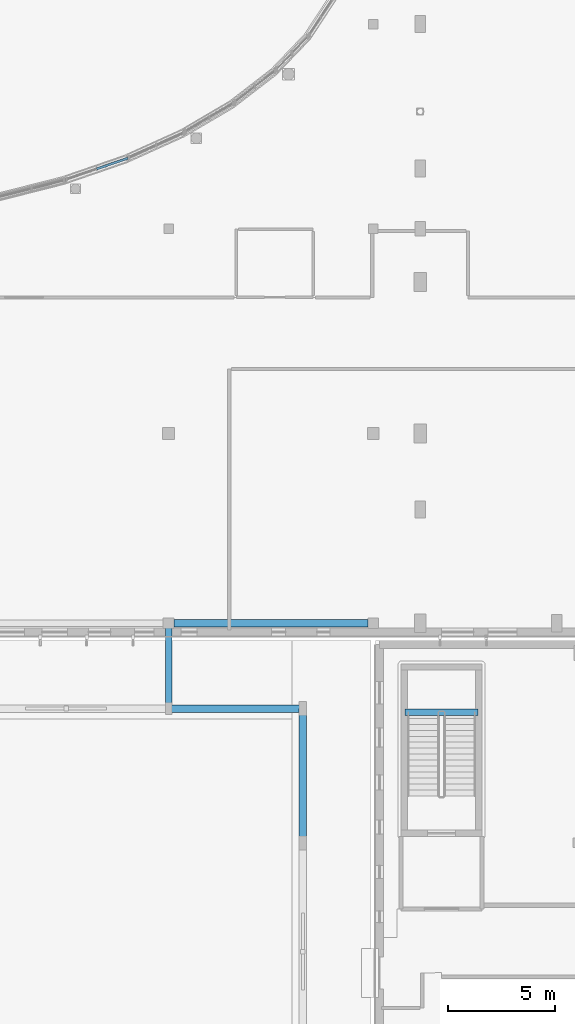
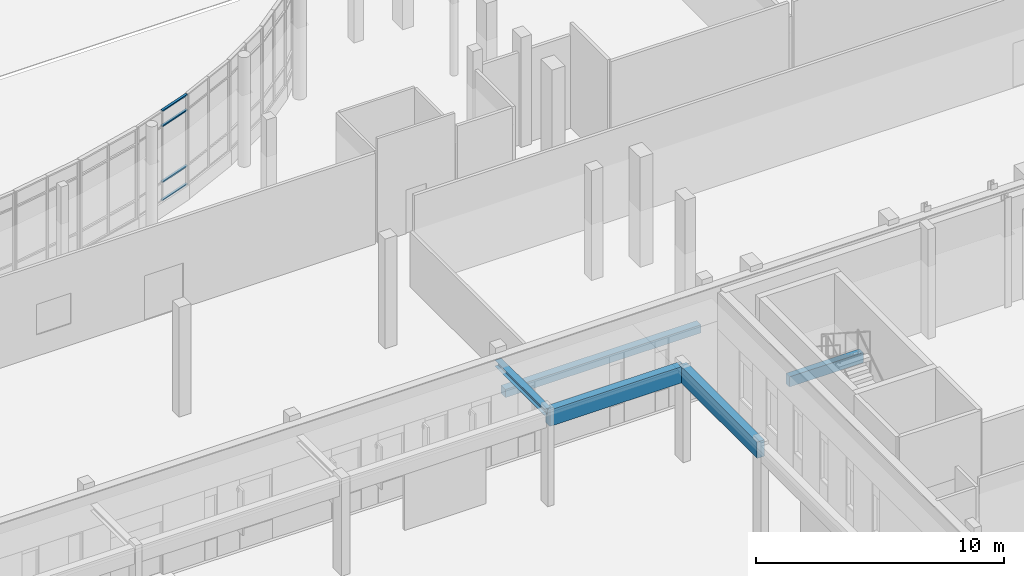
# One storey, part 15 of 84: 5 beams, 4 members, 1 element without a shape of its own.
"""IFC4 building model written with IfcOpenShell, lengths in metres."""

from ifc_helpers import new_model, si_unit, direction, frame, origin, origin_2d, place, context, subcontext, project, spatial, rectangle, i_section, extrude, material, material_profile, profile_set, type_object, element, aggregate, save


model = new_model("IFC4")

# Units and contexts
model_context = context("Model", 3, precision=1e-05, world=origin(), true_north=direction((0.0, 1.0)))
body_context = subcontext(model_context, "Body", "Model", "MODEL_VIEW")
ifc_project = project(units=[si_unit("LENGTHUNIT", "METRE"), si_unit("AREAUNIT", "SQUARE_METRE"), si_unit("VOLUMEUNIT", "CUBIC_METRE"), si_unit("PLANEANGLEUNIT", "RADIAN"), si_unit("MASSUNIT", "GRAM", prefix="KILO")], contexts=[model_context])

# Site, building, storey
site_placement = place(None, origin())
site = spatial("IfcSite", under=ifc_project, at=site_placement, CompositionType="ELEMENT")
building_placement = place(site_placement, origin())
building = spatial("IfcBuilding", under=site, at=building_placement, Name="Mzevani Central Library", CompositionType="ELEMENT")
storey_placement = place(building_placement, origin())
storey = spatial("IfcBuildingStorey", under=building, at=storey_placement, Name="L00", CompositionType="ELEMENT", Elevation=0.0)

# Beam
ifc_material_1 = material(Name="Concrete C35/45", Category="concrete")
ifc_material_profile_1 = material_profile(ifc_material_1, rectangle(XDim=0.300048828125, YDim=0.5, at=origin_2d()), Name="RC B300x500")
ifc_profile_set_1 = profile_set([ifc_material_profile_1], Name="Concrete C35/45")
beam_type_1 = type_object("IfcBeamType", Name="Beam RC 300x500", PredefinedType="BEAM", material=ifc_profile_set_1)
beam_1_placement = place(storey_placement, frame((113.47998046875, 38.919921875, 2.25), z_axis=(1.0, 0.0, 0.0), x_axis=(0.0, 1.0, 0.0)))
element("IfcBeam", 1, at=beam_1_placement, inside=storey, type_object=beam_type_1, Name="L00 Core C6A Children's Pavilion North Stair Stair Landing Beam 1", PredefinedType="BEAM", context=body_context, shape_type="SweptSolid", body=[
    extrude(rectangle(XDim=0.300048828125, YDim=0.5, at=origin_2d()), origin(), (0.0, 0.0, 1.0), 3.43994140625),
])

# Curtain wall, members
ifc_material_2 = material(Name="Thermally broken aluminium and Low-E triple glazing", Category="aluminium")
curtain_wall_type = type_object("IfcCurtainWallType", Name="Elliptical Court Unitised Curtain Wall", PredefinedType="NOTDEFINED", material=ifc_material_2)
curtain_wall_placement = place(storey_placement, origin())
curtain_wall = element("IfcCurtainWall", 2, at=curtain_wall_placement, inside=storey, type_object=curtain_wall_type, Name="L00 Elliptical Court Curtain Wall 41", PredefinedType="NOTDEFINED")
ifc_material_3 = material(Name="Thermally broken aluminium AW-6060", Category="aluminium")
ifc_material_profile_2 = material_profile(ifc_material_3, rectangle(XDim=0.110107421875, YDim=0.06005859375, at=origin_2d()), Name="ALU T60x110")
ifc_profile_set_2 = profile_set([ifc_material_profile_2], Name="Thermally broken aluminium AW-6060")
member_type = type_object("IfcMemberType", Name="CW Transom 60x110", PredefinedType="USERDEFINED", material=ifc_profile_set_2)
member_1_placement = place(storey_placement, frame((99.031494140625, 64.40576171875, 0.719970703125), z_axis=(0.945500820927, 0.325619713204, 0.0), x_axis=(-0.325619713204, 0.945500820927, 0.0)))
member_1 = element("IfcMember", 3, at=member_1_placement, type_object=member_type, Name="L00 Elliptical Court Curtain Wall 41 Transom 5", ObjectType="TRANSOM", PredefinedType="USERDEFINED", context=body_context, shape_type="SweptSolid", body=[
    extrude(rectangle(XDim=0.110107421875, YDim=0.06005859375, at=origin_2d()), origin(), (0.0, 0.0, 1.0), 1.54150390625),
])
member_2_placement = place(storey_placement, frame((99.031494140625, 64.40576171875, 1.6201171875), z_axis=(0.945500820927, 0.325619713204, 0.0), x_axis=(-0.325619713204, 0.945500820927, 0.0)))
member_2 = element("IfcMember", 4, at=member_2_placement, type_object=member_type, Name="L00 Elliptical Court Curtain Wall 41 Transom 6", ObjectType="TRANSOM", PredefinedType="USERDEFINED", context=body_context, shape_type="SweptSolid", body=[
    extrude(rectangle(XDim=0.110107421875, YDim=0.06005859375, at=origin_2d()), origin(), (0.0, 0.0, 1.0), 1.54150390625),
])
member_3_placement = place(storey_placement, frame((99.031494140625, 64.40576171875, 4.3701171875), z_axis=(0.945500820927, 0.325619713204, 0.0), x_axis=(-0.325619713204, 0.945500820927, 0.0)))
member_3 = element("IfcMember", 5, at=member_3_placement, type_object=member_type, Name="L00 Elliptical Court Curtain Wall 41 Transom 7", ObjectType="TRANSOM", PredefinedType="USERDEFINED", context=body_context, shape_type="SweptSolid", body=[
    extrude(rectangle(XDim=0.110107421875, YDim=0.06005859375, at=origin_2d()), origin(), (0.0, 0.0, 1.0), 1.54150390625),
])
member_4_placement = place(storey_placement, frame((99.031494140625, 64.40576171875, 5.1201171875), z_axis=(0.945500820927, 0.325619713204, 0.0), x_axis=(-0.325619713204, 0.945500820927, 0.0)))
member_4 = element("IfcMember", 6, at=member_4_placement, type_object=member_type, Name="L00 Elliptical Court Curtain Wall 41 Transom 8", ObjectType="TRANSOM", PredefinedType="USERDEFINED", context=body_context, shape_type="SweptSolid", body=[
    extrude(rectangle(XDim=0.110107421875, YDim=0.06005859375, at=origin_2d()), origin(), (0.0, 0.0, 1.0), 1.54150390625),
])
aggregate(curtain_wall, [member_1, member_2, member_3, member_4])

# Beams
ifc_material_4 = material(Name="Steel S355J2", Category="steel")
ifc_material_profile_3 = material_profile(ifc_material_4, i_section(OverallWidth=0.300048828125, OverallDepth=0.31005859375, WebThickness=0.009033203125, FlangeThickness=0.015380859375, FilletRadius=0.027099609375, at=origin_2d()), Name="HEA 320")
ifc_profile_set_3 = profile_set([ifc_material_profile_3], Name="Steel S355J2")
beam_type_2 = type_object("IfcBeamType", Name="Canopy Tie Beam HEA 320", PredefinedType="BEAM", material=ifc_profile_set_3)
beam_2_placement = place(storey_placement, frame((102.39990234375, 39.10009765625, 4.485107421875), z_axis=(0.0, 1.0, 0.0), x_axis=(-1.0, 0.0, 0.0)))
element("IfcBeam", 7, at=beam_2_placement, inside=storey, type_object=beam_type_2, Name="L00 North Colonnade Tie Beam 15", PredefinedType="BEAM", context=body_context, shape_type="SweptSolid", body=[
    extrude(i_section(OverallWidth=0.300048828125, OverallDepth=0.31005859375, WebThickness=0.009033203125, FlangeThickness=0.015380859375, FilletRadius=0.027099609375, at=origin_2d()), origin(), (0.0, 0.0, 1.0), 4.0),
])
ifc_material_5 = material(Name="Precast concrete C40/50", Category="concrete")
ifc_material_profile_4 = material_profile(ifc_material_5, rectangle(XDim=0.35009765625, YDim=0.800048828125, at=origin_2d()), Name="RC SP350x800")
ifc_profile_set_4 = profile_set([ifc_material_profile_4], Name="Precast concrete C40/50")
beam_type_3 = type_object("IfcBeamType", Name="Colonnade Fascia Beam RC 350x800", PredefinedType="SPANDREL", material=ifc_profile_set_4)
for number, where, z_axis, x_axis, name in (
    (8, (108.699951171875, 32.800048828125, 4.239990234375), (0.0, 1.0, 0.0), (-1.0, 0.0, 0.0), "L00 East Colonnade Fascia Beam 4"),
    (9, (102.39990234375, 39.10009765625, 4.239990234375), (1.0, 0.0, 0.0), (0.0, 1.0, 0.0), "L00 North Colonnade Fascia Beam 6"),
):
    element("IfcBeam", number, at=place(storey_placement, frame(where, z_axis=z_axis, x_axis=x_axis)), inside=storey, type_object=beam_type_3, Name=name, PredefinedType="SPANDREL", context=body_context, shape_type="SweptSolid", body=[
        extrude(rectangle(XDim=0.35009765625, YDim=0.800048828125, at=origin_2d()), origin(), (0.0, 0.0, 1.0), 6.300048828125),
    ])
ifc_material_profile_5 = material_profile(ifc_material_5, rectangle(XDim=0.35009765625, YDim=0.39990234375, at=origin_2d()), Name="PC LN350x400")
ifc_profile_set_5 = profile_set([ifc_material_profile_5], Name="Precast concrete C40/50")
beam_type_4 = type_object("IfcBeamType", Name="Precast Window Lintel 350x400", PredefinedType="LINTEL", material=ifc_profile_set_5)
beam_3_placement = place(storey_placement, frame((102.64990234375, 43.10009765625, 2.949951171875), z_axis=(1.0, 0.0, 0.0), x_axis=(0.0, 1.0, 0.0)))
element("IfcBeam", 10, at=beam_3_placement, inside=storey, type_object=beam_type_4, Name="L00 V1 Precast Portal Lintel (5)", PredefinedType="LINTEL", context=body_context, shape_type="SweptSolid", body=[
    extrude(rectangle(XDim=0.35009765625, YDim=0.39990234375, at=origin_2d()), origin(), (0.0, 0.0, 1.0), 9.10009765625),
])

save(model, "model.ifc")
